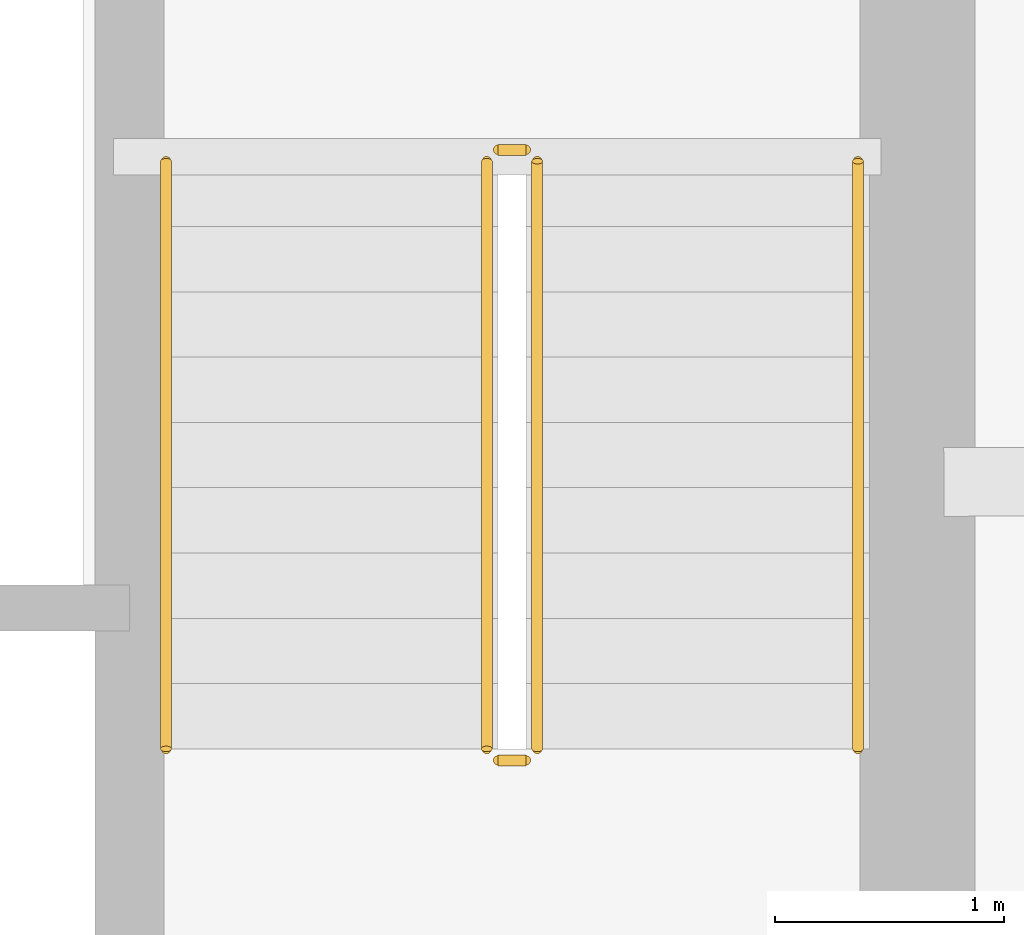
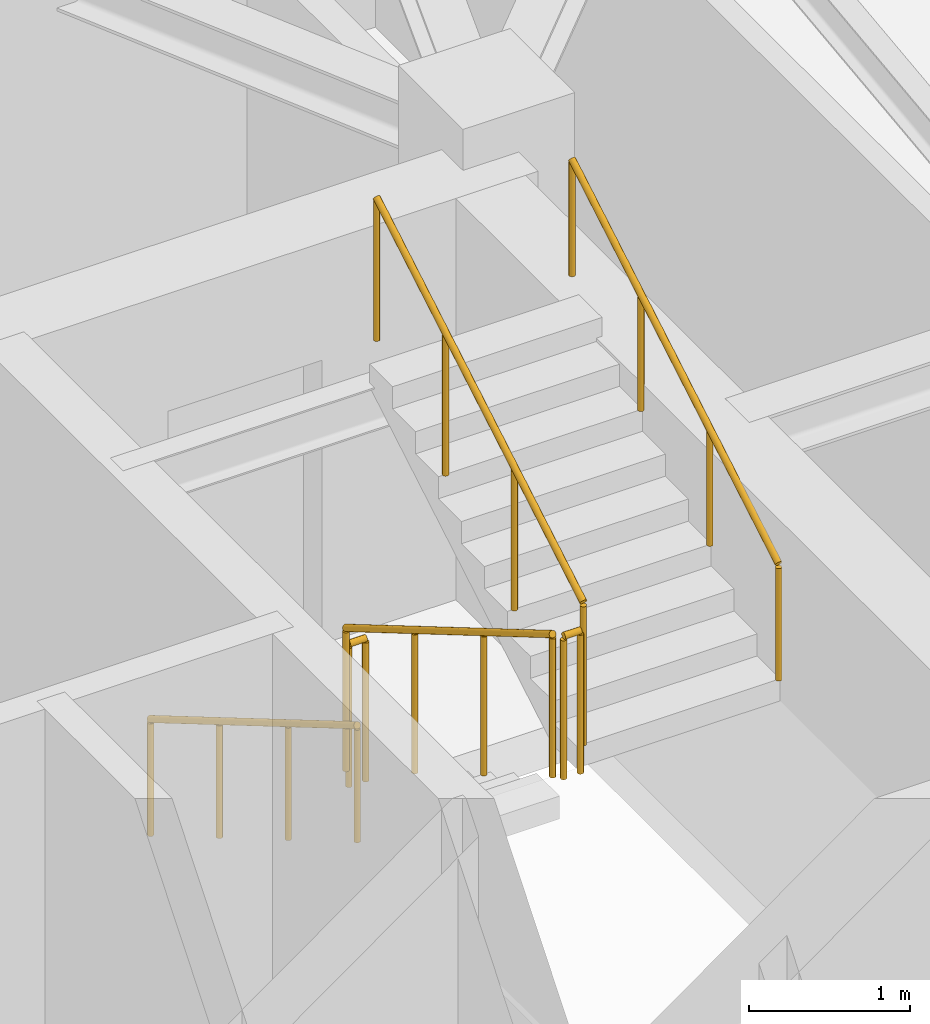
# One storey, part 11 of 11: 6 railings.
"""IFC4 building model written with IfcOpenShell, lengths in metres."""

import ifcopenshell
import ifcopenshell.guid

model = None  # the IFC model being written
_history = None  # IfcOwnerHistory: only IFC2X3 demands one
_inside = {}  # id of a spatial element -> (the spatial element, [elements in it])
_under = {}  # id of a project, library or spatial element -> (it, [spatial elements below it])
_declared = {}  # id of a project -> (the project, [libraries it declares])
_typed = {}  # id of a type object -> (the type object, [elements of that type])
_made_of = {}  # id of a material, layer set ... -> (it, [elements and type objects made of it])


def new_model(schema):
    """Start an empty IFC model of exactly this schema.

    Asked for "IFC4X3", IfcOpenShell would pick the latest addendum, in which some entities
    have other attributes; the version numbers below select the first issue.
    IFC2X3 requires an IfcOwnerHistory on every rooted entity: one is made here for all.
    """
    global model, _history
    if schema == "IFC4X3":
        model = ifcopenshell.file(schema_version=(4, 3, 0, 0))
    else:
        model = ifcopenshell.file(schema=schema)
    _inside.clear()
    _under.clear()
    _declared.clear()
    _typed.clear()
    _made_of.clear()
    _history = None
    if model.schema == "IFC2X3":
        org = make("IfcOrganization", Name="unknown")
        user = make(
            "IfcPersonAndOrganization",
            ThePerson=make("IfcPerson", FamilyName="unknown"),
            TheOrganization=org,
        )
        app = make(
            "IfcApplication",
            ApplicationDeveloper=org,
            Version="unknown",
            ApplicationFullName="unknown",
            ApplicationIdentifier="unknown",
        )
        _history = make(
            "IfcOwnerHistory",
            OwningUser=user,
            OwningApplication=app,
            ChangeAction="ADDED",
            CreationDate=0,
        )
    return model


def make(cls, **values):
    """One entity of the class cls with the attributes given. An attribute that is None is left unset."""
    return model.create_entity(
        cls, **{name: value for name, value in values.items() if value is not None}
    )


def rooted(cls, **values):
    """An entity with a GlobalId (a new one), such as an element, a storey or a relation."""
    return make(cls, GlobalId=ifcopenshell.guid.new(), OwnerHistory=_history, **values)


def si_unit(unit_type, name, prefix=None):
    """IfcSIUnit, for example si_unit("LENGTHUNIT", "METRE", prefix="MILLI")."""
    return make("IfcSIUnit", UnitType=unit_type, Prefix=prefix, Name=name)


def assignment(units):
    """IfcUnitAssignment: the units of a project."""
    return None if units is None else make("IfcUnitAssignment", Units=units)


def point(xyz):
    """IfcCartesianPoint."""
    return None if xyz is None else make("IfcCartesianPoint", Coordinates=xyz)


def direction(xyz):
    """IfcDirection."""
    return None if xyz is None else make("IfcDirection", DirectionRatios=xyz)


def frame(location, z_axis=None, x_axis=None):
    """IfcAxis2Placement3D, a coordinate frame: its origin and axes. An axis left out is left unset."""
    return make(
        "IfcAxis2Placement3D",
        Location=point(location),
        Axis=direction(z_axis),
        RefDirection=direction(x_axis),
    )


def frame_2d(location, x_axis=None):
    """IfcAxis2Placement2D, a coordinate frame in the plane: its origin and x axis."""
    return make(
        "IfcAxis2Placement2D", Location=point(location), RefDirection=direction(x_axis)
    )


def origin():
    """The frame at (0, 0, 0) with its axes left unset."""
    return frame((0.0, 0.0, 0.0))


def origin_2d():
    """The frame at (0, 0) in the plane with its x axis left unset."""
    return frame_2d((0.0, 0.0))


def place(relative_to, where):
    """IfcLocalPlacement: puts the frame where relative to a parent placement (None: the world)."""
    return make(
        "IfcLocalPlacement", PlacementRelTo=relative_to, RelativePlacement=where
    )


def context(
    kind, dimensions, precision=None, world=None, true_north=None, identifier=None
):
    """IfcGeometricRepresentationContext, for example the 3D "Model" context."""
    return make(
        "IfcGeometricRepresentationContext",
        ContextIdentifier=identifier,
        ContextType=kind,
        CoordinateSpaceDimension=dimensions,
        Precision=precision,
        WorldCoordinateSystem=world,
        TrueNorth=true_north,
    )


def subcontext(parent, identifier, kind, view, scale=None):
    """IfcGeometricRepresentationSubContext, for example "Body" below "Model"."""
    return make(
        "IfcGeometricRepresentationSubContext",
        ContextIdentifier=identifier,
        ContextType=kind,
        ParentContext=parent,
        TargetScale=scale,
        TargetView=view,
    )


def project(units=None, contexts=None):
    """IfcProject with its units and contexts."""
    return rooted(
        "IfcProject",
        Name="project",
        RepresentationContexts=contexts,
        UnitsInContext=assignment(units),
    )


def spatial(cls, under=None, at=None, **own):
    """A site, building, storey or space (cls), placed at a placement, below another one or the project."""
    s = rooted(cls, ObjectPlacement=at, **own)
    if under is not None:
        _under.setdefault(under.id(), (under, []))[1].append(s)
    return s


def profile(cls, at=None, kind="AREA", **sizes):
    """A parametric profile (cls). Its sizes go by their IFC names, for example OverallWidth=200.0."""
    return make(cls, ProfileType=kind, Position=at, **sizes)


def circle(**sizes):
    """IfcCircleProfileDef."""
    return profile("IfcCircleProfileDef", **sizes)


def extrude(swept, where, along, depth):
    """IfcExtrudedAreaSolid: the profile swept, set in the frame where, extruded along a direction by depth."""
    return make(
        "IfcExtrudedAreaSolid",
        SweptArea=swept,
        Position=where,
        ExtrudedDirection=direction(along),
        Depth=depth,
    )


def shape(context_of_items, identifier, shape_type, items):
    """IfcShapeRepresentation: the items that make up one representation, for example the "Body"."""
    return make(
        "IfcShapeRepresentation",
        ContextOfItems=context_of_items,
        RepresentationIdentifier=identifier,
        RepresentationType=shape_type,
        Items=items,
    )


def material(Name=None, Category=None):
    """IfcMaterial."""
    return make("IfcMaterial", Name=Name, Category=Category)


def made_of(thing, what):
    """Note that an element or type object is made of a material, layer set ...; save() writes the relation."""
    if what is not None:
        _made_of.setdefault(what.id(), (what, []))[1].append(thing)
    return thing


def type_object(cls, material=None, **own):
    """A type object (cls), such as IfcWallType, which elements share."""
    return made_of(rooted(cls, **own), material)


def element(
    cls,
    number,
    at=None,
    inside=None,
    cuts=None,
    type_object=None,
    material=None,
    context=None,
    identifier="Body",
    shape_type=None,
    held_by="IfcProductDefinitionShape",
    body=None,
    shapes=None,
    **own,
):
    """One element of the class cls, such as IfcWall. Its Tag is "e" and its number.

    at: its placement. inside: the storey or other place that contains it. cuts: it is an
    opening in that element (IfcRelVoidsElement). A single representation is given by context,
    identifier, shape_type and body (its items); several are given by shapes. held_by: the class
    of the entity that holds the representations. save() writes the other relations.
    """
    e = rooted(cls, Tag="e%d" % number, ObjectPlacement=at, **own)
    if body is not None:
        shapes = [shape(context, identifier, shape_type, body)]
    if shapes is not None:
        e.Representation = make(held_by, Representations=shapes)
    if inside is not None:
        _inside.setdefault(inside.id(), (inside, []))[1].append(e)
    if cuts is not None:
        rooted(
            "IfcRelVoidsElement", RelatingBuildingElement=cuts, RelatedOpeningElement=e
        )
    if type_object is not None:
        _typed.setdefault(type_object.id(), (type_object, []))[1].append(e)
    return made_of(e, material)


def aggregate(whole, parts):
    """IfcRelAggregates: a whole, such as a stair, and the parts it consists of."""
    return rooted("IfcRelAggregates", RelatingObject=whole, RelatedObjects=parts)


def save(model, path):
    """Write the relations noted so far, then the file.

    IfcRelAggregates (storeys below a building ...), IfcRelContainedInSpatialStructure (elements
    in a storey), IfcRelDefinesByType, IfcRelAssociatesMaterial and IfcRelDeclares: one each for
    every whole, place, type object, material and project.
    """
    for whole, parts in _under.values():
        aggregate(whole, parts)
    for where, things in _inside.values():
        rooted(
            "IfcRelContainedInSpatialStructure",
            RelatedElements=things,
            RelatingStructure=where,
        )
    for kind, things in _typed.values():
        rooted("IfcRelDefinesByType", RelatedObjects=things, RelatingType=kind)
    for what, things in _made_of.values():
        rooted("IfcRelAssociatesMaterial", RelatedObjects=things, RelatingMaterial=what)
    for by, libraries in _declared.values():
        rooted("IfcRelDeclares", RelatingContext=by, RelatedDefinitions=libraries)
    model.write(path)


model = new_model("IFC4")

# Units and contexts
model_context = context("Model", 3, precision=1e-05, world=origin(), true_north=direction((0.0, 1.0)))
body_context = subcontext(model_context, "Body", "Model", "MODEL_VIEW")
ifc_project = project(units=[si_unit("LENGTHUNIT", "METRE"), si_unit("AREAUNIT", "SQUARE_METRE"), si_unit("VOLUMEUNIT", "CUBIC_METRE"), si_unit("PLANEANGLEUNIT", "RADIAN"), si_unit("MASSUNIT", "GRAM", prefix="KILO")], contexts=[model_context])

# Site, building, storey
site_placement = place(None, origin())
site = spatial("IfcSite", under=ifc_project, at=site_placement, CompositionType="ELEMENT")
building_placement = place(site_placement, origin())
building = spatial("IfcBuilding", under=site, at=building_placement, Name="Qobustan Lattice House", CompositionType="ELEMENT")
storey_placement = place(building_placement, frame((0.0, 0.0, 216.5)))
storey = spatial("IfcBuildingStorey", under=building, at=storey_placement, Name="L61", CompositionType="ELEMENT", Elevation=216.5)

# Railings
ifc_material_1 = material(Name="Brushed stainless steel handrail", Category="steel")
railing_type_1 = type_object("IfcRailingType", Name="RAL-HR-920", PredefinedType="HANDRAIL", material=ifc_material_1)
railing_1_placement = place(storey_placement, frame((15.179931640625, 3.5, 0.16748046875)))
element("IfcRailing", 1, at=railing_1_placement, inside=storey, type_object=railing_type_1, Name="L61 ST-E1 stair handrail 1", PredefinedType="HANDRAIL", context=body_context, shape_type="SweptSolid", body=[
    extrude(circle(Radius=0.02392578125, at=origin_2d()), frame((0.0, 0.0, 0.8759765625), z_axis=(0.0, -0.862113467892, 0.50671527358), x_axis=(1.0, 0.0, 0.0)), (0.0, 0.0, 1.0), 2.97509765625),
    extrude(circle(Radius=0.02099609375, at=origin_2d()), origin(), (0.0, 0.0, 1.0), 0.851806640625),
    extrude(circle(Radius=0.02099609375, at=origin_2d()), frame((0.0, -0.85498046875, 0.50244140625)), (0.0, 0.0, 1.0), 0.851806640625),
    extrude(circle(Radius=0.02099609375, at=origin_2d()), frame((0.0, -1.7099609375, 1.005126953125)), (0.0, 0.0, 1.0), 0.851806640625),
    extrude(circle(Radius=0.02099609375, at=origin_2d()), frame((0.0, -2.56494140625, 1.507568359375)), (0.0, 0.0, 1.0), 0.851806640625),
])
railing_2_placement = place(storey_placement, frame((18.199951171875, 0.93505859375, 1.842529296875)))
element("IfcRailing", 2, at=railing_2_placement, inside=storey, type_object=railing_type_1, Name="L61 ST-E1 stair handrail 2", PredefinedType="HANDRAIL", context=body_context, shape_type="SweptSolid", body=[
    extrude(circle(Radius=0.02392578125, at=origin_2d()), frame((0.0, 0.0, 0.8759765625), z_axis=(0.0, 0.862113467892, 0.50671527358), x_axis=(-1.0, 0.0, 0.0)), (0.0, 0.0, 1.0), 2.97509765625),
    extrude(circle(Radius=0.02099609375, at=origin_2d()), origin(), (0.0, 0.0, 1.0), 0.851806640625),
    extrude(circle(Radius=0.02099609375, at=origin_2d()), frame((0.0, 0.85498046875, 0.50244140625)), (0.0, 0.0, 1.0), 0.851806640625),
    extrude(circle(Radius=0.02099609375, at=origin_2d()), frame((0.0, 1.7099609375, 1.005126953125)), (0.0, 0.0, 1.0), 0.851806640625),
    extrude(circle(Radius=0.02099609375, at=origin_2d()), frame((0.0, 2.56494140625, 1.507568359375)), (0.0, 0.0, 1.0), 0.851806640625),
])
ifc_material_2 = material(Name="Painted galvanized steel guardrail", Category="steel")
railing_type_2 = type_object("IfcRailingType", Name="RAL-STG-1150", PredefinedType="GUARDRAIL", material=ifc_material_2)
railing_3_placement = place(storey_placement, frame((16.580078125, 3.5, 0.16748046875)))
element("IfcRailing", 3, at=railing_3_placement, inside=storey, type_object=railing_type_2, Name="L61 ST-E1 stair guard 1", PredefinedType="GUARDRAIL", context=body_context, shape_type="SweptSolid", body=[
    extrude(circle(Radius=0.02392578125, at=origin_2d()), frame((0.0, 0.0, 1.076171875), z_axis=(0.0, -0.862113467892, 0.50671527358), x_axis=(1.0, 0.0, 0.0)), (0.0, 0.0, 1.0), 2.97509765625),
    extrude(circle(Radius=0.02099609375, at=origin_2d()), origin(), (0.0, 0.0, 1.0), 1.052001953125),
    extrude(circle(Radius=0.02099609375, at=origin_2d()), frame((0.0, -0.85498046875, 0.50244140625)), (0.0, 0.0, 1.0), 1.052001953125),
    extrude(circle(Radius=0.02099609375, at=origin_2d()), frame((0.0, -1.7099609375, 1.005126953125)), (0.0, 0.0, 1.0), 1.052001953125),
    extrude(circle(Radius=0.02099609375, at=origin_2d()), frame((0.0, -2.56494140625, 1.507568359375)), (0.0, 0.0, 1.0), 1.052001953125),
])
railing_4_placement = place(storey_placement, frame((16.6298828125, 0.885009765625, 1.675048828125)))
element("IfcRailing", 4, at=railing_4_placement, inside=storey, type_object=railing_type_2, Name="L61 ST-E1 stair guard 2", PredefinedType="GUARDRAIL", context=body_context, shape_type="SweptSolid", body=[
    extrude(circle(Radius=0.02392578125, at=origin_2d()), frame((0.0, 0.0, 1.076171875), z_axis=(1.0, 0.0, 0.0), x_axis=(0.0, 1.0, 0.0)), (0.0, 0.0, 1.0), 0.1201171875),
    extrude(circle(Radius=0.02099609375, at=origin_2d()), origin(), (0.0, 0.0, 1.0), 1.052001953125),
    extrude(circle(Radius=0.02099609375, at=origin_2d()), frame((0.1201171875, 0.0, 0.0)), (0.0, 0.0, 1.0), 1.052001953125),
])
railing_5_placement = place(storey_placement, frame((16.800048828125, 0.93505859375, 1.842529296875)))
element("IfcRailing", 5, at=railing_5_placement, inside=storey, type_object=railing_type_2, Name="L61 ST-E1 stair guard 3", PredefinedType="GUARDRAIL", context=body_context, shape_type="SweptSolid", body=[
    extrude(circle(Radius=0.02392578125, at=origin_2d()), frame((0.0, 0.0, 1.076171875), z_axis=(0.0, 0.862113467892, 0.50671527358), x_axis=(-1.0, 0.0, 0.0)), (0.0, 0.0, 1.0), 2.97509765625),
    extrude(circle(Radius=0.02099609375, at=origin_2d()), origin(), (0.0, 0.0, 1.0), 1.052001953125),
    extrude(circle(Radius=0.02099609375, at=origin_2d()), frame((0.0, 0.85498046875, 0.50244140625)), (0.0, 0.0, 1.0), 1.052001953125),
    extrude(circle(Radius=0.02099609375, at=origin_2d()), frame((0.0, 1.7099609375, 1.005126953125)), (0.0, 0.0, 1.0), 1.052001953125),
    extrude(circle(Radius=0.02099609375, at=origin_2d()), frame((0.0, 2.56494140625, 1.507568359375)), (0.0, 0.0, 1.0), 1.052001953125),
])
railing_6_placement = place(storey_placement, frame((16.6298828125, 3.550048828125, 0.0)))
element("IfcRailing", 6, at=railing_6_placement, inside=storey, type_object=railing_type_2, Name="L61 ST-E1 stair guard 4", PredefinedType="GUARDRAIL", context=body_context, shape_type="SweptSolid", body=[
    extrude(circle(Radius=0.02392578125, at=origin_2d()), frame((0.0, 0.0, 1.076171875), z_axis=(1.0, 0.0, 0.0), x_axis=(0.0, 1.0, 0.0)), (0.0, 0.0, 1.0), 0.1201171875),
    extrude(circle(Radius=0.02099609375, at=origin_2d()), origin(), (0.0, 0.0, 1.0), 1.052001953125),
    extrude(circle(Radius=0.02099609375, at=origin_2d()), frame((0.1201171875, 0.0, 0.0)), (0.0, 0.0, 1.0), 1.052001953125),
])

save(model, "model.ifc")
